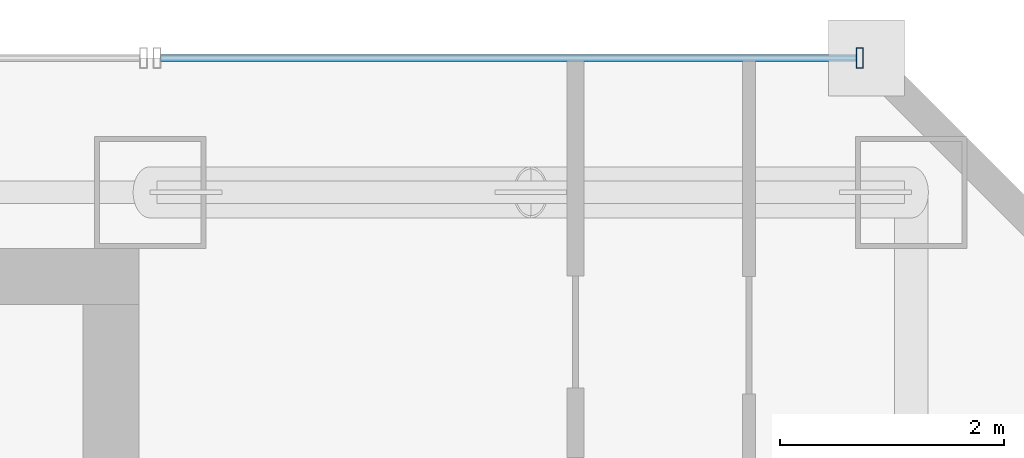
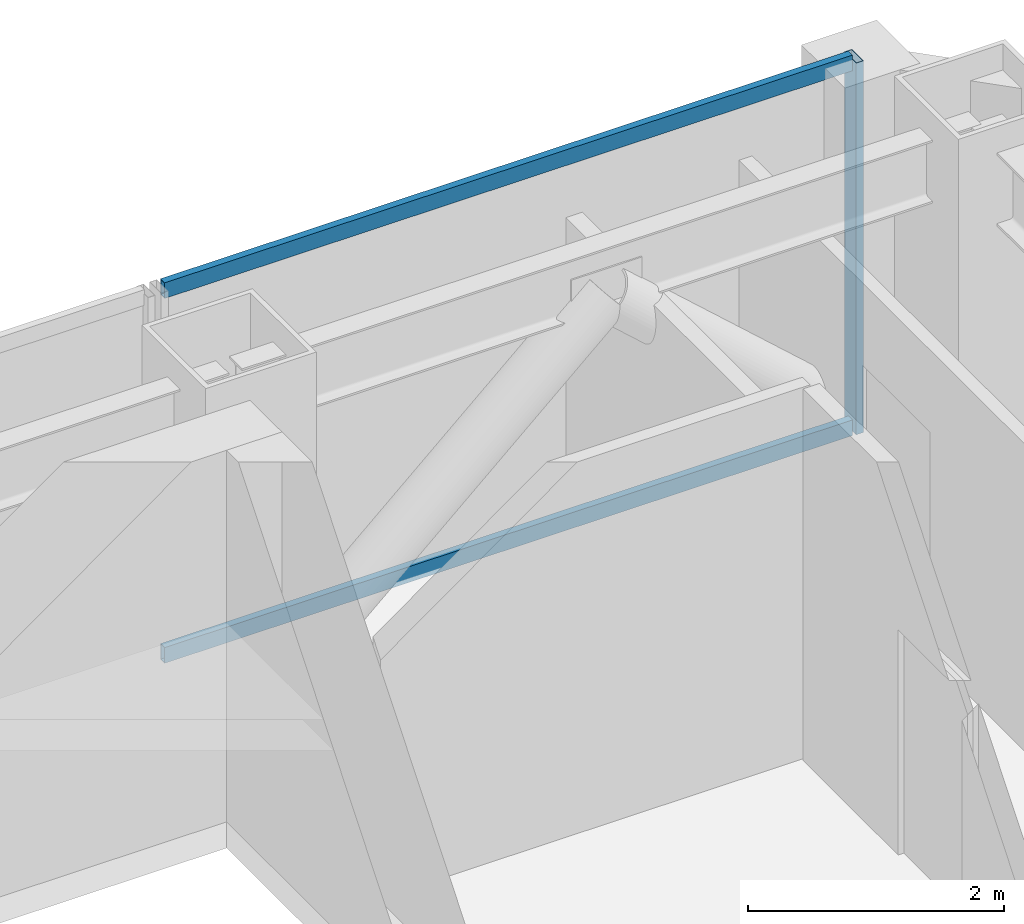
# One storey, part 28 of 37: 3 members, 1 element without a shape of its own.
"""IFC4 building model written with IfcOpenShell, lengths in metres."""

from ifc_helpers import new_model, si_unit, direction, frame, origin, origin_2d, place, context, subcontext, project, spatial, hollow_rectangle, extrude, material, material_profile, profile_set, type_object, element, aggregate, save


model = new_model("IFC4")

# Units and contexts
model_context = context("Model", 3, precision=1e-05, world=origin(), true_north=direction((0.0, 1.0)))
body_context = subcontext(model_context, "Body", "Model", "MODEL_VIEW")
ifc_project = project(units=[si_unit("LENGTHUNIT", "METRE"), si_unit("AREAUNIT", "SQUARE_METRE"), si_unit("VOLUMEUNIT", "CUBIC_METRE"), si_unit("PLANEANGLEUNIT", "RADIAN"), si_unit("MASSUNIT", "GRAM", prefix="KILO")], contexts=[model_context])

# Site, building, storey
site_placement = place(None, origin())
site = spatial("IfcSite", under=ifc_project, at=site_placement, CompositionType="ELEMENT")
building_placement = place(site_placement, origin())
building = spatial("IfcBuilding", under=site, at=building_placement, Name="Saevonmaru Cultural Tower", CompositionType="ELEMENT")
storey_placement = place(building_placement, frame((0.0, 0.0, 144.800048828125)))
storey = spatial("IfcBuildingStorey", under=building, at=storey_placement, Name="L31", CompositionType="ELEMENT", Elevation=144.800048828125)

# Curtain wall, members
ifc_material = material(Name="Satin Bronze Anodised Aluminium", Category="aluminium")
curtain_wall_type = type_object("IfcCurtainWallType", Name="CW-TYP-A", PredefinedType="NOTDEFINED", material=ifc_material)
curtain_wall_placement = place(storey_placement, origin())
curtain_wall = element("IfcCurtainWall", 1, at=curtain_wall_placement, inside=storey, type_object=curtain_wall_type, Name="L31 East Braced Bay Spandrel Curtain Wall E10A", PredefinedType="NOTDEFINED")
ifc_material_profile_1 = material_profile(ifc_material, hollow_rectangle(XDim=0.06494140625, YDim=0.179931640625, WallThickness=0.00390625, at=origin_2d()), Name="ALU-MULL-180x65x4")
ifc_profile_set_1 = profile_set([ifc_material_profile_1], Name="Satin Bronze Anodised Aluminium")
member_type_1 = type_object("IfcMemberType", Name="ML-CW-180x65", PredefinedType="MULLION", material=ifc_profile_set_1)
member_1_placement = place(storey_placement, frame((52.739990234375, 56.0, 0.0), z_axis=(0.0, 0.0, 1.0), x_axis=(-1.0, 0.0, 0.0)))
member_1 = element("IfcMember", 2, at=member_1_placement, type_object=member_type_1, Name="CW-TW-L31-E10A mullion 1", PredefinedType="MULLION", context=body_context, shape_type="SweptSolid", body=[
    extrude(hollow_rectangle(XDim=0.06494140625, YDim=0.179931640625, WallThickness=0.00390625, at=origin_2d()), origin(), (0.0, 0.0, 1.0), 3.550048828125),
])
ifc_material_profile_2 = material_profile(ifc_material, hollow_rectangle(XDim=0.06494140625, YDim=0.14990234375, WallThickness=0.00390625, at=origin_2d()), Name="ALU-TRAN-150x65x4")
ifc_profile_set_2 = profile_set([ifc_material_profile_2], Name="Satin Bronze Anodised Aluminium")
member_type_2 = type_object("IfcMemberType", Name="TR-CW-150x65", PredefinedType="USERDEFINED", material=ifc_profile_set_2)
member_2_placement = place(storey_placement, frame((52.70751953125, 56.0, 0.032470703125), z_axis=(-1.0, 0.0, 0.0), x_axis=(0.0, -1.0, 0.0)))
member_2 = element("IfcMember", 3, at=member_2_placement, type_object=member_type_2, Name="CW-TW-L31-E10A transom 1.1", ObjectType="TRANSOM", PredefinedType="USERDEFINED", context=body_context, shape_type="SweptSolid", body=[
    extrude(hollow_rectangle(XDim=0.06494140625, YDim=0.14990234375, WallThickness=0.00390625, at=origin_2d()), origin(), (0.0, 0.0, 1.0), 6.215087890625),
])
member_3_placement = place(storey_placement, frame((52.70751953125, 56.0, 3.517333984375), z_axis=(-1.0, 0.0, 0.0), x_axis=(0.0, -1.0, 0.0)))
member_3 = element("IfcMember", 4, at=member_3_placement, type_object=member_type_2, Name="CW-TW-L31-E10A transom 1.2", ObjectType="TRANSOM", PredefinedType="USERDEFINED", context=body_context, shape_type="SweptSolid", body=[
    extrude(hollow_rectangle(XDim=0.06494140625, YDim=0.14990234375, WallThickness=0.00390625, at=origin_2d()), origin(), (0.0, 0.0, 1.0), 6.215087890625),
])
aggregate(curtain_wall, [member_1, member_2, member_3])

save(model, "model.ifc")
